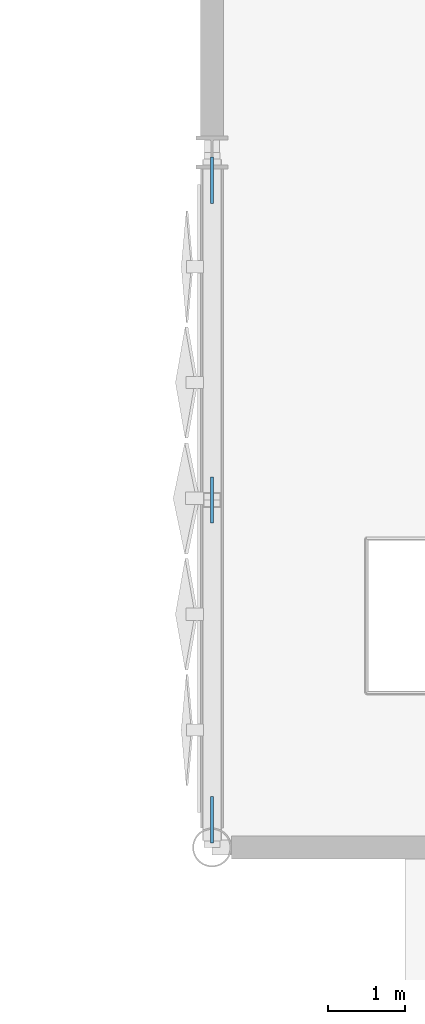
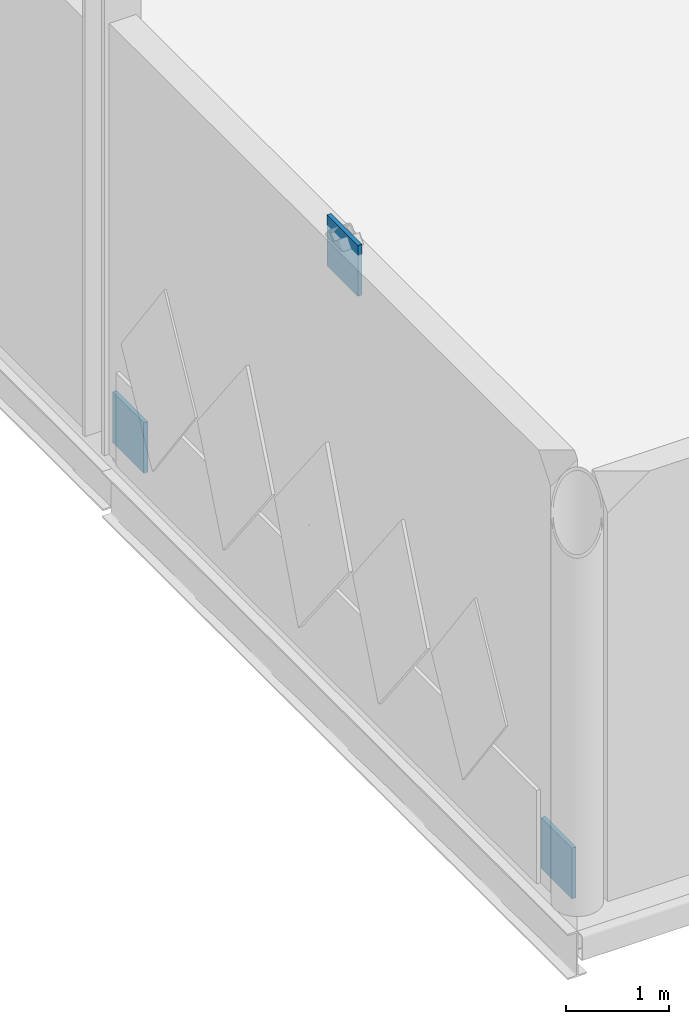
# One storey, part 49 of 94: 3 plates.
"""IFC4 building model written with IfcOpenShell, lengths in metres."""

from ifc_helpers import new_model, si_unit, direction, frame, origin, origin_2d, place, context, subcontext, project, spatial, rectangle, extrude, material, layer, layer_set, type_object, element, save


model = new_model("IFC4")

# Units and contexts
model_context = context("Model", 3, precision=1e-05, world=origin(), true_north=direction((0.0, 1.0)))
body_context = subcontext(model_context, "Body", "Model", "MODEL_VIEW")
ifc_project = project(units=[si_unit("LENGTHUNIT", "METRE"), si_unit("AREAUNIT", "SQUARE_METRE"), si_unit("VOLUMEUNIT", "CUBIC_METRE"), si_unit("PLANEANGLEUNIT", "RADIAN"), si_unit("MASSUNIT", "GRAM", prefix="KILO")], contexts=[model_context])

# Site, building, storey
site_placement = place(None, origin())
site = spatial("IfcSite", under=ifc_project, at=site_placement, CompositionType="ELEMENT")
building_placement = place(site_placement, origin())
building = spatial("IfcBuilding", under=site, at=building_placement, Name="Qamarlyn Nura Convention Centre", CompositionType="ELEMENT")
storey_placement = place(building_placement, origin())
storey = spatial("IfcBuildingStorey", under=building, at=storey_placement, Name="L00", CompositionType="ELEMENT", Elevation=0.0)

# Plates
ifc_material = material(Name="Structural steel ASTM A572 Grade 50", Category="steel")
ifc_layer = layer(ifc_material, 0.044921875, Name="GP-TN1")
ifc_layer_set = layer_set([ifc_layer], Name="Structural steel ASTM A572 Grade 50")
plate_type = type_object("IfcPlateType", Name="GP-TN1", PredefinedType="USERDEFINED", material=ifc_layer_set)
for number, where, z_axis, x_axis, name in (
    (1, (0.0, 18.360107421875, 0.0), (0.0, 0.0, 1.0), (0.0, 1.0, 0.0), "SCBF chevron brace gusset plate CBF-W1-L00-A"),
    (2, (0.0, 26.639892578125, 0.0), (0.0, 0.0, 1.0), (0.0, 1.0, 0.0), "SCBF chevron brace gusset plate CBF-W1-L00-B"),
    (3, (0.0, 22.5, 4.599853515625), (0.0, 0.0, 1.0), (0.0, 1.0, 0.0), "SCBF chevron brace gusset plate CBF-W1-L00-M"),
):
    element("IfcPlate", number, at=place(storey_placement, frame(where, z_axis=z_axis, x_axis=x_axis)), inside=storey, type_object=plate_type, Name=name, ObjectType="GUSSET PLATE", PredefinedType="USERDEFINED", context=body_context, shape_type="SweptSolid", body=[
        extrude(rectangle(XDim=0.60009765625, YDim=0.044921875, at=origin_2d()), origin(), (0.0, 0.0, 1.0), 0.60009765625),
    ])

save(model, "model.ifc")
